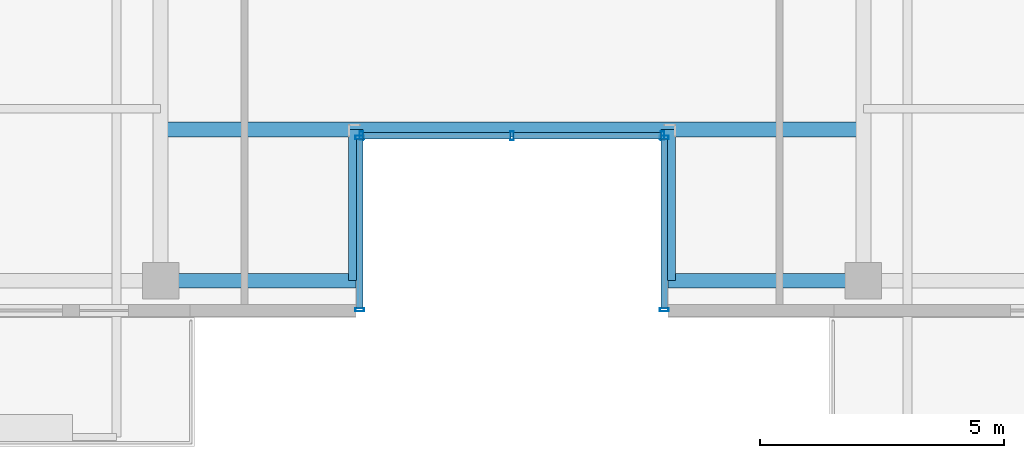
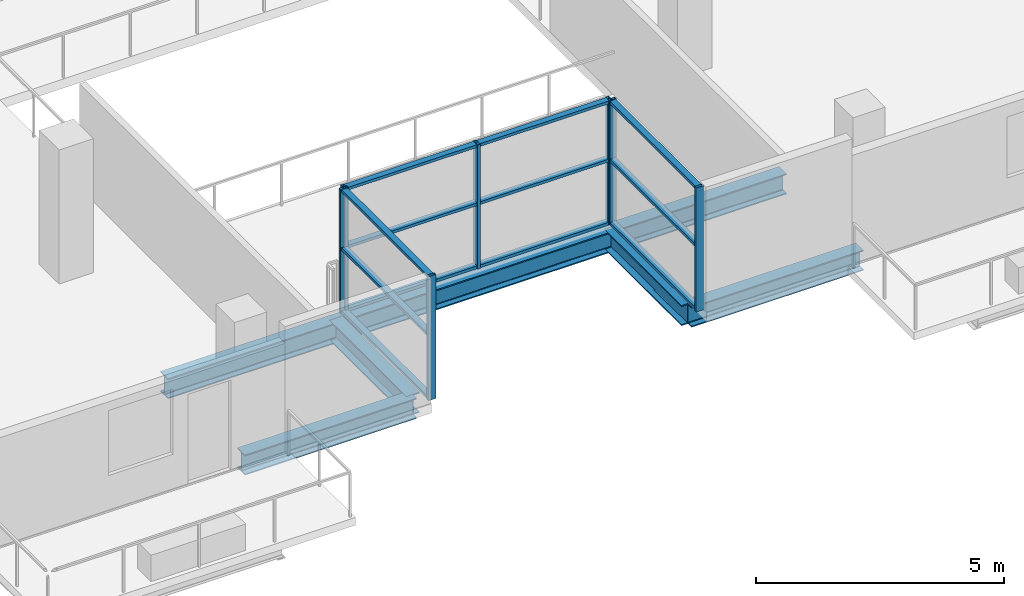
# One storey, part 5 of 21: 19 members, 5 beams, 3 elements without a shape of their own.
"""IFC4 building model written with IfcOpenShell, lengths in metres."""

from ifc_helpers import new_model, si_unit, direction, frame, origin, origin_2d, place, context, subcontext, project, spatial, hollow_rectangle, i_section, extrude, source, transform, mapped, material, layer, layer_set, material_profile, profile_set, type_object, element, aggregate, save


model = new_model("IFC4")

# Units and contexts
model_context = context("Model", 3, precision=1e-05, world=origin(), true_north=direction((0.0, 1.0)))
body_context = subcontext(model_context, "Body", "Model", "MODEL_VIEW")
ifc_project = project(units=[si_unit("LENGTHUNIT", "METRE"), si_unit("AREAUNIT", "SQUARE_METRE"), si_unit("VOLUMEUNIT", "CUBIC_METRE"), si_unit("PLANEANGLEUNIT", "RADIAN"), si_unit("MASSUNIT", "GRAM", prefix="KILO")], contexts=[model_context])

# Site, building, storey
site_placement = place(None, origin())
site = spatial("IfcSite", under=ifc_project, at=site_placement, CompositionType="ELEMENT")
building_placement = place(site_placement, origin())
building = spatial("IfcBuilding", under=site, at=building_placement, Name="Zarnakvel Exchange Tower", CompositionType="ELEMENT")
storey_placement = place(building_placement, frame((0.0, 0.0, 189.10009765625)))
storey = spatial("IfcBuildingStorey", under=building, at=storey_placement, Name="L53", CompositionType="ELEMENT", Elevation=189.10009765625)

# Beams
ifc_material_1 = material(Name="Steel S355", Category="steel")
ifc_material_profile_1 = material_profile(ifc_material_1, i_section(OverallWidth=0.300048828125, OverallDepth=0.5, WebThickness=0.014404296875, FlangeThickness=0.028076171875, FilletRadius=0.027099609375, at=origin_2d()))
ifc_profile_set_1 = profile_set([ifc_material_profile_1], Name="Steel S355")
beam_type_1 = type_object("IfcBeamType", Name="G-06", PredefinedType="BEAM", material=ifc_profile_set_1)
for number, where, z_axis, x_axis, name in (
    (1, (-3.199951171875, -16.64990234375, -0.47509765625), (0.0, 1.0, 0.0), (-1.0, 0.0, 0.0), "L53 South Slot West Cheek Beam"),
    (2, (3.199951171875, -16.64990234375, -0.47509765625), (0.0, 1.0, 0.0), (-1.0, 0.0, 0.0), "L53 South Slot East Cheek Beam"),
):
    element("IfcBeam", number, at=place(storey_placement, frame(where, z_axis=z_axis, x_axis=x_axis)), inside=storey, type_object=beam_type_1, Name=name, PredefinedType="BEAM", context=body_context, shape_type="SweptSolid", body=[
        extrude(i_section(OverallWidth=0.300048828125, OverallDepth=0.5, WebThickness=0.014404296875, FlangeThickness=0.028076171875, FilletRadius=0.027099609375, at=origin_2d()), origin(), (0.0, 0.0, 1.0), 3.099853515625),
    ])
ifc_material_profile_2 = material_profile(ifc_material_1, i_section(OverallWidth=0.300048828125, OverallDepth=0.5, WebThickness=0.014404296875, FlangeThickness=0.028076171875, FilletRadius=0.027099609375, at=origin_2d()))
ifc_profile_set_2 = profile_set([ifc_material_profile_2], Name="Steel S355")
beam_type_2 = type_object("IfcBeamType", Name="SP-02", PredefinedType="SPANDREL", material=ifc_profile_set_2)
for number, where, z_axis, x_axis, name in (
    (3, (-7.199951171875, -16.64990234375, -0.47509765625), (1.0, 0.0, 0.0), (0.0, 1.0, 0.0), "L53 South Slot West Jamb Spandrel"),
    (4, (3.199951171875, -16.64990234375, -0.47509765625), (1.0, 0.0, 0.0), (0.0, 1.0, 0.0), "L53 South Slot East Jamb Spandrel"),
):
    element("IfcBeam", number, at=place(storey_placement, frame(where, z_axis=z_axis, x_axis=x_axis)), inside=storey, type_object=beam_type_2, Name=name, PredefinedType="SPANDREL", context=body_context, shape_type="SweptSolid", body=[
        extrude(i_section(OverallWidth=0.300048828125, OverallDepth=0.5, WebThickness=0.014404296875, FlangeThickness=0.028076171875, FilletRadius=0.027099609375, at=origin_2d()), origin(), (0.0, 0.0, 1.0), 4.0),
    ])
beam_placement = place(storey_placement, frame((-7.199951171875, -13.550048828125, -0.47509765625), z_axis=(1.0, 0.0, 0.0), x_axis=(0.0, 1.0, 0.0)))
element("IfcBeam", 5, at=beam_placement, inside=storey, type_object=beam_type_2, Name="L53 South Slot Head Trimmer Girder", PredefinedType="SPANDREL", context=body_context, shape_type="SweptSolid", body=[
    extrude(i_section(OverallWidth=0.300048828125, OverallDepth=0.5, WebThickness=0.014404296875, FlangeThickness=0.028076171875, FilletRadius=0.027099609375, at=origin_2d()), origin(), (0.0, 0.0, 1.0), 14.39990234375),
])

# Curtain wall, members
ifc_material_2 = material(Name="Architectural Bronze Anodised Aluminium", Category="aluminium")
ifc_layer = layer(ifc_material_2, 0.179931640625)
ifc_layer_set = layer_set([ifc_layer], Name="Architectural Bronze Anodised Aluminium")
curtain_wall_type = type_object("IfcCurtainWallType", Name="CW-05", PredefinedType="NOTDEFINED", material=ifc_layer_set)
curtain_wall_1_placement = place(storey_placement, origin())
curtain_wall_1 = element("IfcCurtainWall", 6, at=curtain_wall_1_placement, inside=storey, type_object=curtain_wall_type, Name="L53 Curtain Wall CW-L53-SLW (CW-05)", PredefinedType="NOTDEFINED")
ifc_material_profile_3 = material_profile(ifc_material_2, hollow_rectangle(XDim=0.139892578125, YDim=0.070068359375, WallThickness=0.00390625, at=origin_2d()))
ifc_profile_set_3 = profile_set([ifc_material_profile_3], Name="Architectural Bronze Anodised Aluminium")
member_type_1 = type_object("IfcMemberType", Name="CWT-05", PredefinedType="USERDEFINED", material=ifc_profile_set_3)
shared_shape_1 = source(origin(), body_context, "Body", "SweptSolid", [
    extrude(hollow_rectangle(XDim=0.139892578125, YDim=0.070068359375, WallThickness=0.00390625, at=origin_2d()), origin(), (0.0, 0.0, 1.0), 3.4599609375),
])
member_1_placement = place(storey_placement, frame((-3.1201171875, -17.2099609375, 0.034912109375), z_axis=(0.0, 1.0, 0.0), x_axis=(-1.0, 0.0, 0.0)))
member_1 = element("IfcMember", 7, at=member_1_placement, type_object=member_type_1, Name="CW-05 transom 1.1", ObjectType="TRANSOM", PredefinedType="USERDEFINED", context=body_context, shape_type="MappedRepresentation", body=[
    mapped(shared_shape_1, transform((0.0, 0.0, 0.0), x_axis=(1.0, 0.0, 0.0), y_axis=(0.0, 1.0, 0.0), z_axis=(0.0, 0.0, 1.0), scale=1.0)),
])
member_2_placement = place(storey_placement, frame((-3.1201171875, -17.2099609375, 1.588623046875), z_axis=(0.0, 1.0, 0.0), x_axis=(-1.0, 0.0, 0.0)))
member_2 = element("IfcMember", 8, at=member_2_placement, type_object=member_type_1, Name="CW-05 transom 1.2", ObjectType="TRANSOM", PredefinedType="USERDEFINED", context=body_context, shape_type="MappedRepresentation", body=[
    mapped(shared_shape_1, transform((0.0, 0.0, 0.0), x_axis=(1.0, 0.0, 0.0), y_axis=(0.0, 1.0, 0.0), z_axis=(0.0, 0.0, 1.0), scale=1.0)),
])
member_3_placement = place(storey_placement, frame((-3.1201171875, -17.2099609375, 3.02001953125), z_axis=(0.0, 1.0, 0.0), x_axis=(-1.0, 0.0, 0.0)))
member_3 = element("IfcMember", 9, at=member_3_placement, type_object=member_type_1, Name="CW-05 transom 1.3", ObjectType="TRANSOM", PredefinedType="USERDEFINED", context=body_context, shape_type="MappedRepresentation", body=[
    mapped(shared_shape_1, transform((0.0, 0.0, 0.0), x_axis=(1.0, 0.0, 0.0), y_axis=(0.0, 1.0, 0.0), z_axis=(0.0, 0.0, 1.0), scale=1.0)),
])

curtain_wall_2_placement = place(storey_placement, origin())
curtain_wall_2 = element("IfcCurtainWall", 10, at=curtain_wall_2_placement, inside=storey, type_object=curtain_wall_type, Name="L53 Curtain Wall CW-L53-SLE (CW-05)", PredefinedType="NOTDEFINED")
member_4_placement = place(storey_placement, frame((3.1201171875, -13.75, 0.034912109375), z_axis=(0.0, -1.0, 0.0), x_axis=(1.0, 0.0, 0.0)))
member_4 = element("IfcMember", 11, at=member_4_placement, type_object=member_type_1, Name="CW-05 transom 1.1", ObjectType="TRANSOM", PredefinedType="USERDEFINED", context=body_context, shape_type="MappedRepresentation", body=[
    mapped(shared_shape_1, transform((0.0, 0.0, 0.0), x_axis=(1.0, 0.0, 0.0), y_axis=(0.0, 1.0, 0.0), z_axis=(0.0, 0.0, 1.0), scale=1.0)),
])
member_5_placement = place(storey_placement, frame((3.1201171875, -13.75, 1.588623046875), z_axis=(0.0, -1.0, 0.0), x_axis=(1.0, 0.0, 0.0)))
member_5 = element("IfcMember", 12, at=member_5_placement, type_object=member_type_1, Name="CW-05 transom 1.2", ObjectType="TRANSOM", PredefinedType="USERDEFINED", context=body_context, shape_type="MappedRepresentation", body=[
    mapped(shared_shape_1, transform((0.0, 0.0, 0.0), x_axis=(1.0, 0.0, 0.0), y_axis=(0.0, 1.0, 0.0), z_axis=(0.0, 0.0, 1.0), scale=1.0)),
])
member_6_placement = place(storey_placement, frame((3.1201171875, -13.75, 3.02001953125), z_axis=(0.0, -1.0, 0.0), x_axis=(1.0, 0.0, 0.0)))
member_6 = element("IfcMember", 13, at=member_6_placement, type_object=member_type_1, Name="CW-05 transom 1.3", ObjectType="TRANSOM", PredefinedType="USERDEFINED", context=body_context, shape_type="MappedRepresentation", body=[
    mapped(shared_shape_1, transform((0.0, 0.0, 0.0), x_axis=(1.0, 0.0, 0.0), y_axis=(0.0, 1.0, 0.0), z_axis=(0.0, 0.0, 1.0), scale=1.0)),
])

curtain_wall_3_placement = place(storey_placement, origin())
curtain_wall_3 = element("IfcCurtainWall", 14, at=curtain_wall_3_placement, inside=storey, type_object=curtain_wall_type, Name="L53 Curtain Wall CW-L53-SLB (CW-05)", PredefinedType="NOTDEFINED")
shared_shape_2 = source(origin(), body_context, "Body", "SweptSolid", [
    extrude(hollow_rectangle(XDim=0.139892578125, YDim=0.070068359375, WallThickness=0.00390625, at=origin_2d()), origin(), (0.0, 0.0, 1.0), 3.01513671875),
])
member_7_placement = place(storey_placement, frame((-3.050048828125, -13.679931640625, 0.034912109375), z_axis=(1.0, 0.0, 0.0), x_axis=(0.0, 1.0, 0.0)))
member_7 = element("IfcMember", 15, at=member_7_placement, type_object=member_type_1, Name="CW-05 transom 1.1", ObjectType="TRANSOM", PredefinedType="USERDEFINED", context=body_context, shape_type="MappedRepresentation", body=[
    mapped(shared_shape_2, transform((0.0, 0.0, 0.0), x_axis=(1.0, 0.0, 0.0), y_axis=(0.0, 1.0, 0.0), z_axis=(0.0, 0.0, 1.0), scale=1.0)),
])
member_8_placement = place(storey_placement, frame((-3.050048828125, -13.679931640625, 1.588623046875), z_axis=(1.0, 0.0, 0.0), x_axis=(0.0, 1.0, 0.0)))
member_8 = element("IfcMember", 16, at=member_8_placement, type_object=member_type_1, Name="CW-05 transom 1.2", ObjectType="TRANSOM", PredefinedType="USERDEFINED", context=body_context, shape_type="MappedRepresentation", body=[
    mapped(shared_shape_2, transform((0.0, 0.0, 0.0), x_axis=(1.0, 0.0, 0.0), y_axis=(0.0, 1.0, 0.0), z_axis=(0.0, 0.0, 1.0), scale=1.0)),
])
member_9_placement = place(storey_placement, frame((-3.050048828125, -13.679931640625, 3.02001953125), z_axis=(1.0, 0.0, 0.0), x_axis=(0.0, 1.0, 0.0)))
member_9 = element("IfcMember", 17, at=member_9_placement, type_object=member_type_1, Name="CW-05 transom 1.3", ObjectType="TRANSOM", PredefinedType="USERDEFINED", context=body_context, shape_type="MappedRepresentation", body=[
    mapped(shared_shape_2, transform((0.0, 0.0, 0.0), x_axis=(1.0, 0.0, 0.0), y_axis=(0.0, 1.0, 0.0), z_axis=(0.0, 0.0, 1.0), scale=1.0)),
])
member_10_placement = place(storey_placement, frame((0.034912109375, -13.679931640625, 0.034912109375), z_axis=(1.0, 0.0, 0.0), x_axis=(0.0, 1.0, 0.0)))
member_10 = element("IfcMember", 18, at=member_10_placement, type_object=member_type_1, Name="CW-05 transom 2.1", ObjectType="TRANSOM", PredefinedType="USERDEFINED", context=body_context, shape_type="MappedRepresentation", body=[
    mapped(shared_shape_2, transform((0.0, 0.0, 0.0), x_axis=(1.0, 0.0, 0.0), y_axis=(0.0, 1.0, 0.0), z_axis=(0.0, 0.0, 1.0), scale=1.0)),
])
member_11_placement = place(storey_placement, frame((0.034912109375, -13.679931640625, 1.588623046875), z_axis=(1.0, 0.0, 0.0), x_axis=(0.0, 1.0, 0.0)))
member_11 = element("IfcMember", 19, at=member_11_placement, type_object=member_type_1, Name="CW-05 transom 2.2", ObjectType="TRANSOM", PredefinedType="USERDEFINED", context=body_context, shape_type="MappedRepresentation", body=[
    mapped(shared_shape_2, transform((0.0, 0.0, 0.0), x_axis=(1.0, 0.0, 0.0), y_axis=(0.0, 1.0, 0.0), z_axis=(0.0, 0.0, 1.0), scale=1.0)),
])
member_12_placement = place(storey_placement, frame((0.034912109375, -13.679931640625, 3.02001953125), z_axis=(1.0, 0.0, 0.0), x_axis=(0.0, 1.0, 0.0)))
member_12 = element("IfcMember", 20, at=member_12_placement, type_object=member_type_1, Name="CW-05 transom 2.3", ObjectType="TRANSOM", PredefinedType="USERDEFINED", context=body_context, shape_type="MappedRepresentation", body=[
    mapped(shared_shape_2, transform((0.0, 0.0, 0.0), x_axis=(1.0, 0.0, 0.0), y_axis=(0.0, 1.0, 0.0), z_axis=(0.0, 0.0, 1.0), scale=1.0)),
])

# Member
ifc_material_profile_4 = material_profile(ifc_material_2, hollow_rectangle(XDim=0.179931640625, YDim=0.070068359375, WallThickness=0.00390625, at=origin_2d()))
ifc_profile_set_4 = profile_set([ifc_material_profile_4], Name="Architectural Bronze Anodised Aluminium")
member_type_2 = type_object("IfcMemberType", Name="CWM-05", PredefinedType="MULLION", material=ifc_profile_set_4)
shared_shape_3 = source(origin(), body_context, "Body", "SweptSolid", [
    extrude(hollow_rectangle(XDim=0.179931640625, YDim=0.070068359375, WallThickness=0.00390625, at=origin_2d()), origin(), (0.0, 0.0, 1.0), 3.054931640625),
])
member_13_placement = place(storey_placement, frame((-3.1201171875, -17.2451171875, 0.0), z_axis=(0.0, 0.0, 1.0), x_axis=(-1.0, 0.0, 0.0)))
member_13 = element("IfcMember", 21, at=member_13_placement, type_object=member_type_2, Name="CW-05 mullion 1", PredefinedType="MULLION", context=body_context, shape_type="MappedRepresentation", body=[
    mapped(shared_shape_3, transform((0.0, 0.0, 0.0), x_axis=(1.0, 0.0, 0.0), y_axis=(0.0, 1.0, 0.0), z_axis=(0.0, 0.0, 1.0), scale=1.0)),
])

member_14_placement = place(storey_placement, frame((-3.1201171875, -13.715087890625, 0.0), z_axis=(0.0, 0.0, 1.0), x_axis=(-1.0, 0.0, 0.0)))
member_14 = element("IfcMember", 22, at=member_14_placement, type_object=member_type_2, Name="CW-05 mullion 2", PredefinedType="MULLION", context=body_context, shape_type="MappedRepresentation", body=[
    mapped(shared_shape_3, transform((0.0, 0.0, 0.0), x_axis=(1.0, 0.0, 0.0), y_axis=(0.0, 1.0, 0.0), z_axis=(0.0, 0.0, 1.0), scale=1.0)),
])

aggregate(curtain_wall_1, [member_13, member_14, member_1, member_2, member_3])

member_15_placement = place(storey_placement, frame((-3.0849609375, -13.679931640625, 0.0), z_axis=(0.0, 0.0, 1.0), x_axis=(0.0, 1.0, 0.0)))
member_15 = element("IfcMember", 23, at=member_15_placement, type_object=member_type_2, Name="CW-05 mullion 1", PredefinedType="MULLION", context=body_context, shape_type="MappedRepresentation", body=[
    mapped(shared_shape_3, transform((0.0, 0.0, 0.0), x_axis=(1.0, 0.0, 0.0), y_axis=(0.0, 1.0, 0.0), z_axis=(0.0, 0.0, 1.0), scale=1.0)),
])

member_16_placement = place(storey_placement, frame((0.0, -13.679931640625, 0.0), z_axis=(0.0, 0.0, 1.0), x_axis=(0.0, 1.0, 0.0)))
member_16 = element("IfcMember", 24, at=member_16_placement, type_object=member_type_2, Name="CW-05 mullion 2", PredefinedType="MULLION", context=body_context, shape_type="MappedRepresentation", body=[
    mapped(shared_shape_3, transform((0.0, 0.0, 0.0), x_axis=(1.0, 0.0, 0.0), y_axis=(0.0, 1.0, 0.0), z_axis=(0.0, 0.0, 1.0), scale=1.0)),
])

member_17_placement = place(storey_placement, frame((3.0849609375, -13.679931640625, 0.0), z_axis=(0.0, 0.0, 1.0), x_axis=(0.0, 1.0, 0.0)))
member_17 = element("IfcMember", 25, at=member_17_placement, type_object=member_type_2, Name="CW-05 mullion 3", PredefinedType="MULLION", context=body_context, shape_type="MappedRepresentation", body=[
    mapped(shared_shape_3, transform((0.0, 0.0, 0.0), x_axis=(1.0, 0.0, 0.0), y_axis=(0.0, 1.0, 0.0), z_axis=(0.0, 0.0, 1.0), scale=1.0)),
])

aggregate(curtain_wall_3, [member_15, member_16, member_17, member_7, member_8, member_9, member_10, member_11, member_12])

member_18_placement = place(storey_placement, frame((3.1201171875, -13.715087890625, 0.0), z_axis=(0.0, 0.0, 1.0), x_axis=(1.0, 0.0, 0.0)))
member_18 = element("IfcMember", 26, at=member_18_placement, type_object=member_type_2, Name="CW-05 mullion 1", PredefinedType="MULLION", context=body_context, shape_type="MappedRepresentation", body=[
    mapped(shared_shape_3, transform((0.0, 0.0, 0.0), x_axis=(1.0, 0.0, 0.0), y_axis=(0.0, 1.0, 0.0), z_axis=(0.0, 0.0, 1.0), scale=1.0)),
])

member_19_placement = place(storey_placement, frame((3.1201171875, -17.2451171875, 0.0), z_axis=(0.0, 0.0, 1.0), x_axis=(1.0, 0.0, 0.0)))
member_19 = element("IfcMember", 27, at=member_19_placement, type_object=member_type_2, Name="CW-05 mullion 2", PredefinedType="MULLION", context=body_context, shape_type="MappedRepresentation", body=[
    mapped(shared_shape_3, transform((0.0, 0.0, 0.0), x_axis=(1.0, 0.0, 0.0), y_axis=(0.0, 1.0, 0.0), z_axis=(0.0, 0.0, 1.0), scale=1.0)),
])

aggregate(curtain_wall_2, [member_18, member_19, member_4, member_5, member_6])

save(model, "model.ifc")
